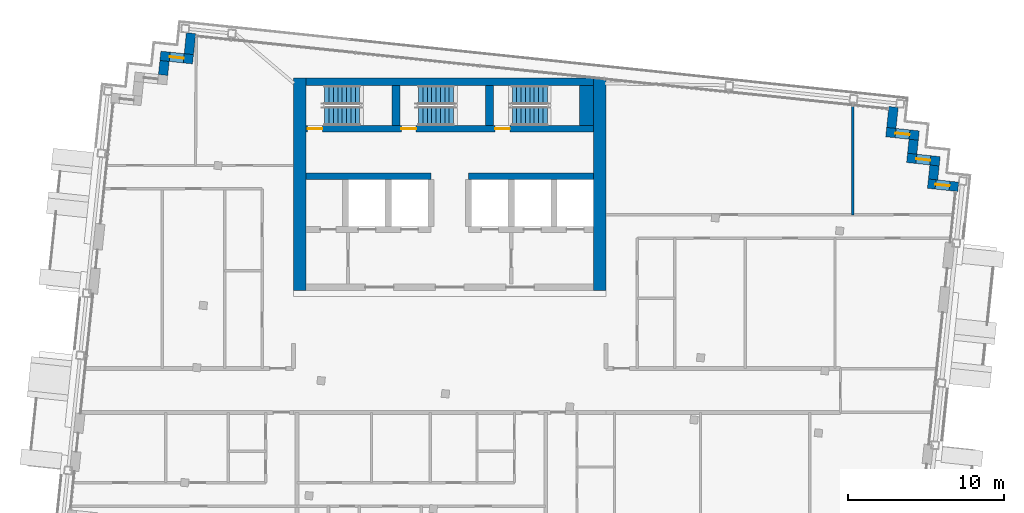
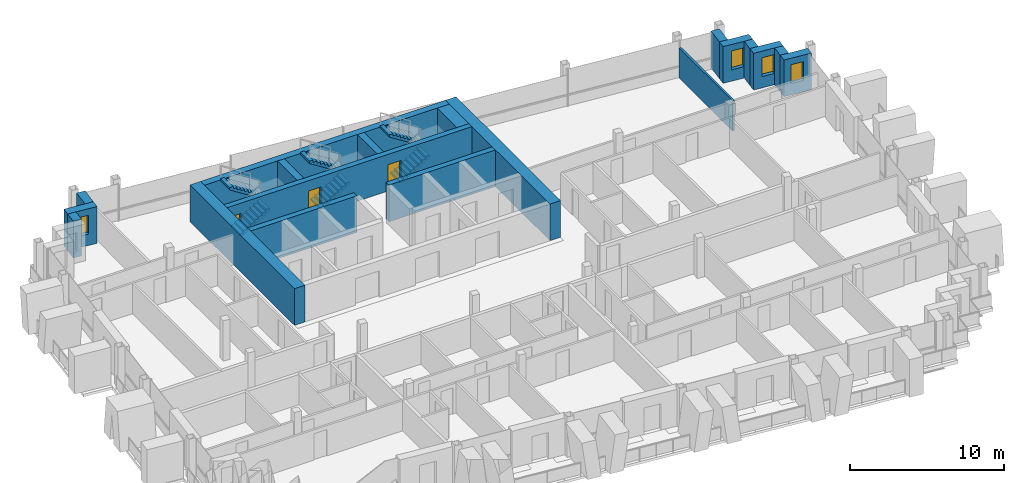
# One storey, part 12 of 16: 19 walls, 6 stair flights, 4 windows, 3 doors, 7 openings, 3 elements without a shape of their own.
"""IFC4 building model written with IfcOpenShell, lengths in metres."""

from ifc_helpers import new_model, si_unit, direction, frame, frame_2d, origin, place, context, subcontext, project, spatial, polyline, rectangle, outline, extrude, material, layer, layer_set, type_object, element, fill, aggregate, save


model = new_model("IFC4")

# Units and contexts
model_context = context("Model", 3, precision=1e-05, world=origin(), true_north=direction((0.0, 1.0)))
body_context = subcontext(model_context, "Body", "Model", "MODEL_VIEW")
ifc_project = project(units=[si_unit("LENGTHUNIT", "METRE"), si_unit("AREAUNIT", "SQUARE_METRE"), si_unit("VOLUMEUNIT", "CUBIC_METRE"), si_unit("PLANEANGLEUNIT", "RADIAN"), si_unit("MASSUNIT", "GRAM", prefix="KILO")], contexts=[model_context])

# Site, building, storey
site_placement = place(None, origin())
site = spatial("IfcSite", under=ifc_project, at=site_placement, CompositionType="ELEMENT")
building_placement = place(site_placement, origin())
building = spatial("IfcBuilding", under=site, at=building_placement, Name="Vidyagriha Tower", CompositionType="ELEMENT")
storey_placement = place(building_placement, frame((0.0, 0.0, 275.5)))
storey = spatial("IfcBuildingStorey", under=building, at=storey_placement, Name="L72", CompositionType="ELEMENT", Elevation=275.5)

# Wall, opening, window
ifc_material_1 = material(Name="Precast concrete C40/50 with brick facing", Category="concrete")
ifc_layer_1 = layer(ifc_material_1, 0.60009765625)
ifc_layer_set_1 = layer_set([ifc_layer_1], Name="Precast concrete C40/50 with brick facing")
wall_type_1 = type_object("IfcWallType", Name="Brick-faced precast wall 600", PredefinedType="STANDARD", material=ifc_layer_set_1)
wall_1_placement = place(storey_placement, frame((32.536376953125, 13.03125, 0.0), z_axis=(0.0, 0.0, 1.0), x_axis=(-0.994534226826, 0.104411070641, 0.0)))
wall_1 = element("IfcWall", 1, at=wall_1_placement, inside=storey, type_object=wall_type_1, Name="Stepped corner wall L72 R01", PredefinedType="STANDARD", context=body_context, shape_type="SweptSolid", body=[
    extrude(rectangle(XDim=1.9501953125, YDim=0.60009765625, at=frame_2d((0.97509765625, 0.0))), origin(), (0.0, 0.0, 1.0), 2.919921875),
])
opening_1_placement = place(wall_1_placement, frame((0.559814453125, 0.0, 0.89990234375)))
opening_1 = element("IfcOpeningElement", 2, at=opening_1_placement, cuts=wall_1, Name="Opening WN1", PredefinedType="OPENING", context=body_context, shape_type="SweptSolid", body=[
    extrude(rectangle(XDim=0.89990234375, YDim=1.5, at=frame_2d((0.449951171875, 0.75))), frame((0.0, 0.31005859375, 0.0), z_axis=(0.0, -1.0, 0.0), x_axis=(1.0, 0.0, 0.0)), (0.0, 0.0, 1.0), 0.6201171875),
])
ifc_material_2 = material(Name="Aluminium and glass window", Category="aluminium")
window_type = type_object("IfcWindowType", Name="Reveal window 900x1500", PartitioningType="NOTDEFINED", PredefinedType="WINDOW", material=ifc_material_2)
window_1_placement = place(opening_1_placement, origin())
window_1 = element("IfcWindow", 3, at=window_1_placement, inside=storey, type_object=window_type, Name="Reveal window L72 R01", OverallHeight=1.5, OverallWidth=0.89990234375, PartitioningType="SINGLE_PANEL", PredefinedType="WINDOW", context=body_context, shape_type="SweptSolid", body=[
    extrude(rectangle(XDim=0.89990234375, YDim=1.5, at=frame_2d((0.449951171875, 0.75))), frame((0.0, 0.030029296875, 0.0), z_axis=(0.0, -1.0, 0.0), x_axis=(1.0, 0.0, 0.0)), (0.0, 0.0, 1.0), 0.06005859375),
])
fill(opening_1, window_1)

# Wall
wall_2_placement = place(storey_placement, frame((30.9267578125, 13.501953125, 0.0), z_axis=(0.0, 0.0, 1.0), x_axis=(0.104416541099, 0.994533652495, 0.0)))
element("IfcWall", 4, at=wall_2_placement, inside=storey, type_object=wall_type_1, Name="Stepped corner wall L72 R02", PredefinedType="STANDARD", context=body_context, shape_type="SweptSolid", body=[
    extrude(rectangle(XDim=0.900146484375, YDim=0.60009765625, at=frame_2d((0.4501953125, 0.0))), origin(), (0.0, 0.0, 1.0), 2.919921875),
])

# Wall, opening, window
wall_3_placement = place(storey_placement, frame((31.3505859375, 14.6640625, 0.0), z_axis=(0.0, 0.0, 1.0), x_axis=(-0.994523910136, 0.104509292252, 0.0)))
wall_3 = element("IfcWall", 5, at=wall_3_placement, inside=storey, type_object=wall_type_1, Name="Stepped corner wall L72 R03", PredefinedType="STANDARD", context=body_context, shape_type="SweptSolid", body=[
    extrude(rectangle(XDim=2.10009765625, YDim=0.60009765625, at=frame_2d((1.050048828125, 0.0))), origin(), (0.0, 0.0, 1.0), 2.919921875),
])
opening_2_placement = place(wall_3_placement, frame((0.60009765625, 0.0, 0.89990234375)))
opening_2 = element("IfcOpeningElement", 6, at=opening_2_placement, cuts=wall_3, Name="Opening WN1", PredefinedType="OPENING", context=body_context, shape_type="SweptSolid", body=[
    extrude(rectangle(XDim=0.89990234375, YDim=1.5, at=frame_2d((0.449951171875, 0.75))), frame((0.0, 0.31005859375, 0.0), z_axis=(0.0, -1.0, 0.0), x_axis=(1.0, 0.0, 0.0)), (0.0, 0.0, 1.0), 0.6201171875),
])
window_2_placement = place(opening_2_placement, origin())
window_2 = element("IfcWindow", 7, at=window_2_placement, inside=storey, type_object=window_type, Name="Reveal window L72 R03", OverallHeight=1.5, OverallWidth=0.89990234375, PartitioningType="SINGLE_PANEL", PredefinedType="WINDOW", context=body_context, shape_type="SweptSolid", body=[
    extrude(rectangle(XDim=0.89990234375, YDim=1.5, at=frame_2d((0.449951171875, 0.75))), frame((0.0, 0.030029296875, 0.0), z_axis=(0.0, -1.0, 0.0), x_axis=(1.0, 0.0, 0.0)), (0.0, 0.0, 1.0), 0.06005859375),
])
fill(opening_2, window_2)

# Wall
wall_4_placement = place(storey_placement, frame((29.591796875, 15.150634765625, 0.0), z_axis=(0.0, 0.0, 1.0), x_axis=(0.104444712852, 0.994530694326, 0.0)))
element("IfcWall", 8, at=wall_4_placement, inside=storey, type_object=wall_type_1, Name="Stepped corner wall L72 R04", PredefinedType="STANDARD", context=body_context, shape_type="SweptSolid", body=[
    extrude(rectangle(XDim=0.89990234375, YDim=0.60009765625, at=frame_2d((0.449951171875, 0.0))), origin(), (0.0, 0.0, 1.0), 2.919921875),
])

# Wall, opening, window
wall_5_placement = place(storey_placement, frame((30.015380859375, 16.3125, 0.0), z_axis=(0.0, 0.0, 1.0), x_axis=(-0.994510548187, 0.104636368175, 0.0)))
wall_5 = element("IfcWall", 9, at=wall_5_placement, inside=storey, type_object=wall_type_1, Name="Stepped corner wall L72 R05", PredefinedType="STANDARD", context=body_context, shape_type="SweptSolid", body=[
    extrude(rectangle(XDim=2.099853515625, YDim=0.60009765625, at=frame_2d((1.0498046875, 0.0))), origin(), (0.0, 0.0, 1.0), 2.919921875),
])
opening_3_placement = place(wall_5_placement, frame((0.60009765625, 0.0, 0.89990234375)))
opening_3 = element("IfcOpeningElement", 10, at=opening_3_placement, cuts=wall_5, Name="Opening WN1", PredefinedType="OPENING", context=body_context, shape_type="SweptSolid", body=[
    extrude(rectangle(XDim=0.89990234375, YDim=1.5, at=frame_2d((0.449951171875, 0.75))), frame((0.0, 0.31005859375, 0.0), z_axis=(0.0, -1.0, 0.0), x_axis=(1.0, 0.0, 0.0)), (0.0, 0.0, 1.0), 0.6201171875),
])
window_3_placement = place(opening_3_placement, origin())
window_3 = element("IfcWindow", 11, at=window_3_placement, inside=storey, type_object=window_type, Name="Reveal window L72 R05", OverallHeight=1.5, OverallWidth=0.89990234375, PartitioningType="SINGLE_PANEL", PredefinedType="WINDOW", context=body_context, shape_type="SweptSolid", body=[
    extrude(rectangle(XDim=0.89990234375, YDim=1.5, at=frame_2d((0.449951171875, 0.75))), frame((0.0, 0.030029296875, 0.0), z_axis=(0.0, -1.0, 0.0), x_axis=(1.0, 0.0, 0.0)), (0.0, 0.0, 1.0), 0.06005859375),
])
fill(opening_3, window_3)

# Walls
wall_6_placement = place(storey_placement, frame((28.256591796875, 16.79931640625, 0.0), z_axis=(0.0, 0.0, 1.0), x_axis=(0.104534153452, 0.994521297289, 0.0)))
element("IfcWall", 12, at=wall_6_placement, inside=storey, type_object=wall_type_1, Name="Stepped corner wall L72 R06", PredefinedType="STANDARD", context=body_context, shape_type="SweptSolid", body=[
    extrude(rectangle(XDim=1.349853515625, YDim=0.60009765625, at=frame_2d((0.6748046875, 0.0))), origin(), (0.0, 0.0, 1.0), 2.919921875),
])
wall_7_placement = place(storey_placement, frame((-16.5546875, 22.866455078125, 0.0), z_axis=(0.0, 0.0, 1.0), x_axis=(-0.104515354875, -0.994523273029, 0.0)))
element("IfcWall", 13, at=wall_7_placement, inside=storey, type_object=wall_type_1, Name="Stepped corner wall L72 R08", PredefinedType="STANDARD", context=body_context, shape_type="SweptSolid", body=[
    extrude(rectangle(XDim=1.35009765625, YDim=0.60009765625, at=frame_2d((0.675048828125, 0.0))), origin(), (0.0, 0.0, 1.0), 2.919921875),
])

# Wall, opening, window
wall_8_placement = place(storey_placement, frame((-16.4287109375, 21.194091796875, 0.0), z_axis=(0.0, 0.0, 1.0), x_axis=(-0.994522640205, 0.104521376379, 0.0)))
wall_8 = element("IfcWall", 14, at=wall_8_placement, inside=storey, type_object=wall_type_1, Name="Stepped corner wall L72 R09", PredefinedType="STANDARD", context=body_context, shape_type="SweptSolid", body=[
    extrude(rectangle(XDim=2.099853515625, YDim=0.60009765625, at=frame_2d((1.0498046875, 0.0))), origin(), (0.0, 0.0, 1.0), 2.919921875),
])
opening_4_placement = place(wall_8_placement, frame((0.599853515625, 0.0, 0.89990234375)))
opening_4 = element("IfcOpeningElement", 15, at=opening_4_placement, cuts=wall_8, Name="Opening WN1", PredefinedType="OPENING", context=body_context, shape_type="SweptSolid", body=[
    extrude(rectangle(XDim=0.89990234375, YDim=1.5, at=frame_2d((0.449951171875, 0.75))), frame((0.0, 0.31005859375, 0.0), z_axis=(0.0, -1.0, 0.0), x_axis=(1.0, 0.0, 0.0)), (0.0, 0.0, 1.0), 0.6201171875),
])
window_4_placement = place(opening_4_placement, origin())
window_4 = element("IfcWindow", 16, at=window_4_placement, inside=storey, type_object=window_type, Name="Reveal window L72 R09", OverallHeight=1.5, OverallWidth=0.89990234375, PartitioningType="SINGLE_PANEL", PredefinedType="WINDOW", context=body_context, shape_type="SweptSolid", body=[
    extrude(rectangle(XDim=0.89990234375, YDim=1.5, at=frame_2d((0.449951171875, 0.75))), frame((0.0, 0.030029296875, 0.0), z_axis=(0.0, -1.0, 0.0), x_axis=(1.0, 0.0, 0.0)), (0.0, 0.0, 1.0), 0.06005859375),
])
fill(opening_4, window_4)

# Walls
wall_9_placement = place(storey_placement, frame((-18.250244140625, 21.083984375, 0.0), z_axis=(0.0, 0.0, 1.0), x_axis=(-0.104416541099, -0.994533652495, 0.0)))
element("IfcWall", 17, at=wall_9_placement, inside=storey, type_object=wall_type_1, Name="Stepped corner wall L72 R10", PredefinedType="STANDARD", context=body_context, shape_type="SweptSolid", body=[
    extrude(rectangle(XDim=0.900146484375, YDim=0.60009765625, at=frame_2d((0.4501953125, 0.0))), origin(), (0.0, 0.0, 1.0), 2.919921875),
])
ifc_material_3 = material(Name="Concrete C60/75", Category="concrete")
ifc_layer_2 = layer(ifc_material_3, 0.39990234375)
ifc_layer_set_2 = layer_set([ifc_layer_2], Name="Concrete C60/75")
wall_type_2 = type_object("IfcWallType", Name="Core shear wall 400 mm", PredefinedType="SHEAR", material=ifc_layer_set_2)
for number, where, name in (
    (18, (-9.199951171875, 13.699951171875, 0.0), "Core row N rear wall"),
    (19, (1.199951171875, 13.699951171875, 0.0), "Core row N rear wall"),
):
    element("IfcWall", number, at=place(storey_placement, frame(where)), inside=storey, type_object=wall_type_2, Name=name, PredefinedType="SHEAR", context=body_context, shape_type="SweptSolid", body=[
        extrude(rectangle(XDim=8.0, YDim=0.39990234375, at=frame_2d((4.0, 0.0))), origin(), (0.0, 0.0, 1.0), 2.919921875),
    ])

# Wall, openings, doors
wall_10_placement = place(storey_placement, frame((-9.199951171875, 16.75, 0.0)))
wall_10 = element("IfcWall", 20, at=wall_10_placement, inside=storey, type_object=wall_type_2, Name="Stair front wall", PredefinedType="SHEAR", context=body_context, shape_type="SweptSolid", body=[
    extrude(rectangle(XDim=18.39990234375, YDim=0.39990234375, at=frame_2d((9.199951171875, 0.0))), origin(), (0.0, 0.0, 1.0), 2.919921875),
])
opening_5_placement = place(wall_10_placement, frame((0.10009765625, 0.0, 0.0)))
opening_5 = element("IfcOpeningElement", 21, at=opening_5_placement, cuts=wall_10, Name="Opening D72-06", PredefinedType="OPENING", context=body_context, shape_type="SweptSolid", body=[
    extrude(rectangle(XDim=0.949951171875, YDim=2.10009765625, at=frame_2d((0.47509765625, 1.050048828125))), frame((0.0, 0.2099609375, 0.0), z_axis=(0.0, -1.0, 0.0), x_axis=(1.0, 0.0, 0.0)), (0.0, 0.0, 1.0), 0.419921875),
])
opening_6_placement = place(wall_10_placement, frame((6.10009765625, 0.0, 0.0)))
opening_6 = element("IfcOpeningElement", 22, at=opening_6_placement, cuts=wall_10, Name="Opening D72-07", PredefinedType="OPENING", context=body_context, shape_type="SweptSolid", body=[
    extrude(rectangle(XDim=0.949951171875, YDim=2.10009765625, at=frame_2d((0.47509765625, 1.050048828125))), frame((0.0, 0.2099609375, 0.0), z_axis=(0.0, -1.0, 0.0), x_axis=(1.0, 0.0, 0.0)), (0.0, 0.0, 1.0), 0.419921875),
])
opening_7_placement = place(wall_10_placement, frame((12.10009765625, 0.0, 0.0)))
opening_7 = element("IfcOpeningElement", 23, at=opening_7_placement, cuts=wall_10, Name="Opening D72-08", PredefinedType="OPENING", context=body_context, shape_type="SweptSolid", body=[
    extrude(rectangle(XDim=0.949951171875, YDim=2.10009765625, at=frame_2d((0.47509765625, 1.050048828125))), frame((0.0, 0.2099609375, 0.0), z_axis=(0.0, -1.0, 0.0), x_axis=(1.0, 0.0, 0.0)), (0.0, 0.0, 1.0), 0.419921875),
])
ifc_material_4 = material(Name="Hollow metal door leaf")
door_type = type_object("IfcDoorType", Name="Exit stair door 950 x 2100 mm EI 90", OperationType="NOTDEFINED", PredefinedType="DOOR", material=ifc_material_4)
door_1_placement = place(opening_5_placement, origin())
door_1 = element("IfcDoor", 24, at=door_1_placement, inside=storey, type_object=door_type, Name="Stair door ST1 L72", OperationType="SINGLE_SWING_LEFT", OverallHeight=2.10009765625, OverallWidth=0.949951171875, PredefinedType="DOOR", context=body_context, shape_type="SweptSolid", body=[
    extrude(rectangle(XDim=0.949951171875, YDim=2.10009765625, at=frame_2d((0.47509765625, 1.050048828125))), frame((0.0, 0.02490234375, 0.0), z_axis=(0.0, -1.0, 0.0), x_axis=(1.0, 0.0, 0.0)), (0.0, 0.0, 1.0), 0.050048828125),
])
fill(opening_5, door_1)
door_2_placement = place(opening_6_placement, origin())
door_2 = element("IfcDoor", 25, at=door_2_placement, inside=storey, type_object=door_type, Name="Stair door ST2 L72", OperationType="SINGLE_SWING_LEFT", OverallHeight=2.10009765625, OverallWidth=0.949951171875, PredefinedType="DOOR", context=body_context, shape_type="SweptSolid", body=[
    extrude(rectangle(XDim=0.949951171875, YDim=2.10009765625, at=frame_2d((0.47509765625, 1.050048828125))), frame((0.0, 0.02490234375, 0.0), z_axis=(0.0, -1.0, 0.0), x_axis=(1.0, 0.0, 0.0)), (0.0, 0.0, 1.0), 0.050048828125),
])
fill(opening_6, door_2)
door_3_placement = place(opening_7_placement, origin())
door_3 = element("IfcDoor", 26, at=door_3_placement, inside=storey, type_object=door_type, Name="Stair door ST3 L72", OperationType="SINGLE_SWING_LEFT", OverallHeight=2.10009765625, OverallWidth=0.949951171875, PredefinedType="DOOR", context=body_context, shape_type="SweptSolid", body=[
    extrude(rectangle(XDim=0.949951171875, YDim=2.10009765625, at=frame_2d((0.47509765625, 1.050048828125))), frame((0.0, 0.02490234375, 0.0), z_axis=(0.0, -1.0, 0.0), x_axis=(1.0, 0.0, 0.0)), (0.0, 0.0, 1.0), 0.050048828125),
])
fill(opening_7, door_3)

# Walls
ifc_material_5 = material(Name="Concrete C60/75", Category="concrete")
ifc_layer_3 = layer(ifc_material_5, 0.5)
ifc_layer_set_3 = layer_set([ifc_layer_3], Name="Concrete C60/75")
wall_type_3 = type_object("IfcWallType", Name="Core shear wall 500 mm", PredefinedType="SHEAR", material=ifc_layer_set_3)
wall_11_placement = place(storey_placement, frame((-9.199951171875, 19.75, 0.0)))
element("IfcWall", 27, at=wall_11_placement, inside=storey, type_object=wall_type_3, Name="Core north wall", PredefinedType="SHEAR", context=body_context, shape_type="SweptSolid", body=[
    extrude(rectangle(XDim=18.39990234375, YDim=0.5, at=frame_2d((9.199951171875, 0.0))), origin(), (0.0, 0.0, 1.0), 2.919921875),
])
for number, where, z_axis, x_axis, name in (
    (28, (-3.449951171875, 16.949951171875, 0.0), (0.0, 0.0, 1.0), (0.0, 1.0, 0.0), "Stair partition wall 1"),
    (29, (2.550048828125, 16.949951171875, 0.0), (0.0, 0.0, 1.0), (0.0, 1.0, 0.0), "Stair partition wall 2"),
):
    element("IfcWall", number, at=place(storey_placement, frame(where, z_axis=z_axis, x_axis=x_axis)), inside=storey, type_object=wall_type_3, Name=name, PredefinedType="SHEAR", context=body_context, shape_type="SweptSolid", body=[
        extrude(rectangle(XDim=2.550048828125, YDim=0.5, at=frame_2d((1.27490234375, 0.0))), origin(), (0.0, 0.0, 1.0), 2.919921875),
    ])
ifc_material_6 = material(Name="Concrete C60/75", Category="concrete")
ifc_layer_4 = layer(ifc_material_6, 0.800048828125)
ifc_layer_set_4 = layer_set([ifc_layer_4], Name="Concrete C60/75")
wall_type_4 = type_object("IfcWallType", Name="Core shear wall 800 mm", PredefinedType="SHEAR", material=ifc_layer_set_4)
for number, where, z_axis, x_axis, name in (
    (30, (-9.60009765625, 6.39990234375, 0.0), (0.0, 0.0, 1.0), (0.0, 1.0, 0.0), "Core west wall"),
    (31, (9.60009765625, 6.39990234375, 0.0), (0.0, 0.0, 1.0), (0.0, 1.0, 0.0), "Core east wall"),
):
    element("IfcWall", number, at=place(storey_placement, frame(where, z_axis=z_axis, x_axis=x_axis)), inside=storey, type_object=wall_type_4, Name=name, PredefinedType="SHEAR", context=body_context, shape_type="SweptSolid", body=[
        extrude(rectangle(XDim=13.60009765625, YDim=0.800048828125, at=frame_2d((6.800048828125, 0.0))), origin(), (0.0, 0.0, 1.0), 2.919921875),
    ])
ifc_material_7 = material(Name="Concrete C60/75", Category="concrete")
ifc_layer_5 = layer(ifc_material_7, 0.89990234375)
ifc_layer_set_5 = layer_set([ifc_layer_5], Name="Concrete C60/75")
wall_type_5 = type_object("IfcWallType", Name="Core shear wall 900 mm", PredefinedType="SHEAR", material=ifc_layer_set_5)
wall_12_placement = place(storey_placement, frame((8.75, 16.949951171875, 0.0), z_axis=(0.0, 0.0, 1.0), x_axis=(0.0, 1.0, 0.0)))
element("IfcWall", 32, at=wall_12_placement, inside=storey, type_object=wall_type_5, Name="Stair end wall", PredefinedType="SHEAR", context=body_context, shape_type="SweptSolid", body=[
    extrude(rectangle(XDim=2.550048828125, YDim=0.89990234375, at=frame_2d((1.27490234375, 0.0))), origin(), (0.0, 0.0, 1.0), 2.919921875),
])
ifc_material_8 = material(Name="Gypsum board partition")
ifc_layer_6 = layer(ifc_material_8, 0.14990234375)
ifc_layer_set_6 = layer_set([ifc_layer_6], Name="Gypsum board partition")
wall_type_6 = type_object("IfcWallType", Name="Gypsum board partition 150", PredefinedType="PARTITIONING", material=ifc_layer_set_6)
wall_13_placement = place(storey_placement, frame((25.79638671875, 18.184814453125, 0.0), z_axis=(0.0, 0.0, 1.0), x_axis=(0.0, -1.0, 0.0)))
element("IfcWall", 33, at=wall_13_placement, inside=storey, type_object=wall_type_6, Name="Wall all-L72-w088", PredefinedType="PARTITIONING", context=body_context, shape_type="SweptSolid", body=[
    extrude(rectangle(XDim=6.94140625, YDim=0.14990234375, at=frame_2d((3.470703125, 0.0))), origin(), (0.0, 0.0, 1.0), 2.39990234375),
])

# Stair, stair flights
ifc_material_9 = material(Name="Concrete C40/50", Category="concrete")
stair_type = type_object("IfcStairType", Name="Exit stair, half-turn, precast flights", PredefinedType="HALF_TURN_STAIR", material=ifc_material_9)
stair_1_placement = place(storey_placement, origin())
stair_1 = element("IfcStair", 34, at=stair_1_placement, inside=storey, type_object=stair_type, Name="L72 Exit Stair ST1", PredefinedType="HALF_TURN_STAIR")
ifc_material_10 = material(Name="Precast concrete C40/50", Category="concrete")
stair_flight_type = type_object("IfcStairFlightType", Name="Exit stair flight 1200 mm, precast", PredefinedType="STRAIGHT", material=ifc_material_10)
stair_flight_1_placement = place(storey_placement, frame((-8.0, 17.550048828125, 0.0)))
stair_flight_1 = element("IfcStairFlight", 35, at=stair_flight_1_placement, type_object=stair_flight_type, Name="ST1 flight 1", NumberOfRisers=9, NumberOfTreads=8, PredefinedType="STRAIGHT", RiserHeight=0.177777778, TreadLength=0.28, context=body_context, shape_type="SweptSolid", body=[
    extrude(outline(polyline([(0.0, 0.0), (0.0, 0.177734375), (0.280029296875, 0.177734375), (0.280029296875, 0.35546875), (0.56005859375, 0.35546875), (0.56005859375, 0.533447265625), (0.840087890625, 0.533447265625), (0.840087890625, 0.711181640625), (1.1201171875, 0.711181640625), (1.1201171875, 0.888916015625), (1.39990234375, 0.888916015625), (1.39990234375, 1.066650390625), (1.679931640625, 1.066650390625), (1.679931640625, 1.244384765625), (1.9599609375, 1.244384765625), (1.9599609375, 1.422119140625), (2.239990234375, 1.422119140625), (2.239990234375, 1.60009765625), (2.239990234375, 1.24462890625), (0.27978515625, 0.0), (0.0, 0.0)])), frame((0.0, 0.60009765625, 0.0), z_axis=(0.0, -1.0, 0.0), x_axis=(1.0, 0.0, 0.0)), (0.0, 0.0, 1.0), 1.199951171875),
])
stair_flight_2_placement = place(storey_placement, frame((-5.760009765625, 18.89990234375, 1.60009765625), z_axis=(0.0, 0.0, 1.0), x_axis=(-1.0, 0.0, 0.0)))
stair_flight_2 = element("IfcStairFlight", 36, at=stair_flight_2_placement, type_object=stair_flight_type, Name="ST1 flight 2", NumberOfRisers=9, NumberOfTreads=8, PredefinedType="STRAIGHT", RiserHeight=0.177777778, TreadLength=0.28, context=body_context, shape_type="SweptSolid", body=[
    extrude(outline(polyline([(0.0, 0.0), (0.0, 0.177734375), (0.280029296875, 0.177734375), (0.280029296875, 0.35546875), (0.56005859375, 0.35546875), (0.56005859375, 0.533447265625), (0.840087890625, 0.533447265625), (0.840087890625, 0.711181640625), (1.1201171875, 0.711181640625), (1.1201171875, 0.888916015625), (1.39990234375, 0.888916015625), (1.39990234375, 1.066650390625), (1.679931640625, 1.066650390625), (1.679931640625, 1.244384765625), (1.9599609375, 1.244384765625), (1.9599609375, 1.422119140625), (2.239990234375, 1.422119140625), (2.239990234375, 1.60009765625), (2.239990234375, 1.24462890625), (0.27978515625, 0.0), (0.0, 0.0)])), frame((0.0, 0.60009765625, 0.0), z_axis=(0.0, -1.0, 0.0), x_axis=(1.0, 0.0, 0.0)), (0.0, 0.0, 1.0), 1.199951171875),
])
aggregate(stair_1, [stair_flight_1, stair_flight_2])

stair_2_placement = place(storey_placement, origin())
stair_2 = element("IfcStair", 37, at=stair_2_placement, inside=storey, type_object=stair_type, Name="L72 Exit Stair ST2", PredefinedType="HALF_TURN_STAIR")
stair_flight_3_placement = place(storey_placement, frame((-2.0, 17.550048828125, 0.0)))
stair_flight_3 = element("IfcStairFlight", 38, at=stair_flight_3_placement, type_object=stair_flight_type, Name="ST2 flight 1", NumberOfRisers=9, NumberOfTreads=8, PredefinedType="STRAIGHT", RiserHeight=0.177777778, TreadLength=0.28, context=body_context, shape_type="SweptSolid", body=[
    extrude(outline(polyline([(0.0, 0.0), (0.0, 0.177734375), (0.280029296875, 0.177734375), (0.280029296875, 0.35546875), (0.56005859375, 0.35546875), (0.56005859375, 0.533447265625), (0.840087890625, 0.533447265625), (0.840087890625, 0.711181640625), (1.1201171875, 0.711181640625), (1.1201171875, 0.888916015625), (1.39990234375, 0.888916015625), (1.39990234375, 1.066650390625), (1.679931640625, 1.066650390625), (1.679931640625, 1.244384765625), (1.9599609375, 1.244384765625), (1.9599609375, 1.422119140625), (2.239990234375, 1.422119140625), (2.239990234375, 1.60009765625), (2.239990234375, 1.24462890625), (0.27978515625, 0.0), (0.0, 0.0)])), frame((0.0, 0.60009765625, 0.0), z_axis=(0.0, -1.0, 0.0), x_axis=(1.0, 0.0, 0.0)), (0.0, 0.0, 1.0), 1.199951171875),
])
stair_flight_4_placement = place(storey_placement, frame((0.239990234375, 18.89990234375, 1.60009765625), z_axis=(0.0, 0.0, 1.0), x_axis=(-1.0, 0.0, 0.0)))
stair_flight_4 = element("IfcStairFlight", 39, at=stair_flight_4_placement, type_object=stair_flight_type, Name="ST2 flight 2", NumberOfRisers=9, NumberOfTreads=8, PredefinedType="STRAIGHT", RiserHeight=0.177777778, TreadLength=0.28, context=body_context, shape_type="SweptSolid", body=[
    extrude(outline(polyline([(0.0, 0.0), (0.0, 0.177734375), (0.280029296875, 0.177734375), (0.280029296875, 0.35546875), (0.56005859375, 0.35546875), (0.56005859375, 0.533447265625), (0.840087890625, 0.533447265625), (0.840087890625, 0.711181640625), (1.1201171875, 0.711181640625), (1.1201171875, 0.888916015625), (1.39990234375, 0.888916015625), (1.39990234375, 1.066650390625), (1.679931640625, 1.066650390625), (1.679931640625, 1.244384765625), (1.9599609375, 1.244384765625), (1.9599609375, 1.422119140625), (2.239990234375, 1.422119140625), (2.239990234375, 1.60009765625), (2.239990234375, 1.24462890625), (0.27978515625, 0.0), (0.0, 0.0)])), frame((0.0, 0.60009765625, 0.0), z_axis=(0.0, -1.0, 0.0), x_axis=(1.0, 0.0, 0.0)), (0.0, 0.0, 1.0), 1.199951171875),
])
aggregate(stair_2, [stair_flight_3, stair_flight_4])

stair_3_placement = place(storey_placement, origin())
stair_3 = element("IfcStair", 40, at=stair_3_placement, inside=storey, type_object=stair_type, Name="L72 Exit Stair ST3", PredefinedType="HALF_TURN_STAIR")
stair_flight_5_placement = place(storey_placement, frame((4.0, 17.550048828125, 0.0)))
stair_flight_5 = element("IfcStairFlight", 41, at=stair_flight_5_placement, type_object=stair_flight_type, Name="ST3 flight 1", NumberOfRisers=9, NumberOfTreads=8, PredefinedType="STRAIGHT", RiserHeight=0.177777778, TreadLength=0.28, context=body_context, shape_type="SweptSolid", body=[
    extrude(outline(polyline([(0.0, 0.0), (0.0, 0.177734375), (0.280029296875, 0.177734375), (0.280029296875, 0.35546875), (0.56005859375, 0.35546875), (0.56005859375, 0.533447265625), (0.840087890625, 0.533447265625), (0.840087890625, 0.711181640625), (1.1201171875, 0.711181640625), (1.1201171875, 0.888916015625), (1.39990234375, 0.888916015625), (1.39990234375, 1.066650390625), (1.679931640625, 1.066650390625), (1.679931640625, 1.244384765625), (1.9599609375, 1.244384765625), (1.9599609375, 1.422119140625), (2.239990234375, 1.422119140625), (2.239990234375, 1.60009765625), (2.239990234375, 1.24462890625), (0.27978515625, 0.0), (0.0, 0.0)])), frame((0.0, 0.60009765625, 0.0), z_axis=(0.0, -1.0, 0.0), x_axis=(1.0, 0.0, 0.0)), (0.0, 0.0, 1.0), 1.199951171875),
])
stair_flight_6_placement = place(storey_placement, frame((6.239990234375, 18.89990234375, 1.60009765625), z_axis=(0.0, 0.0, 1.0), x_axis=(-1.0, 0.0, 0.0)))
stair_flight_6 = element("IfcStairFlight", 42, at=stair_flight_6_placement, type_object=stair_flight_type, Name="ST3 flight 2", NumberOfRisers=9, NumberOfTreads=8, PredefinedType="STRAIGHT", RiserHeight=0.177777778, TreadLength=0.28, context=body_context, shape_type="SweptSolid", body=[
    extrude(outline(polyline([(0.0, 0.0), (0.0, 0.177734375), (0.280029296875, 0.177734375), (0.280029296875, 0.35546875), (0.56005859375, 0.35546875), (0.56005859375, 0.533447265625), (0.840087890625, 0.533447265625), (0.840087890625, 0.711181640625), (1.1201171875, 0.711181640625), (1.1201171875, 0.888916015625), (1.39990234375, 0.888916015625), (1.39990234375, 1.066650390625), (1.679931640625, 1.066650390625), (1.679931640625, 1.244384765625), (1.9599609375, 1.244384765625), (1.9599609375, 1.422119140625), (2.239990234375, 1.422119140625), (2.239990234375, 1.60009765625), (2.239990234375, 1.24462890625), (0.27978515625, 0.0), (0.0, 0.0)])), frame((0.0, 0.60009765625, 0.0), z_axis=(0.0, -1.0, 0.0), x_axis=(1.0, 0.0, 0.0)), (0.0, 0.0, 1.0), 1.199951171875),
])
aggregate(stair_3, [stair_flight_5, stair_flight_6])

save(model, "model.ifc")
